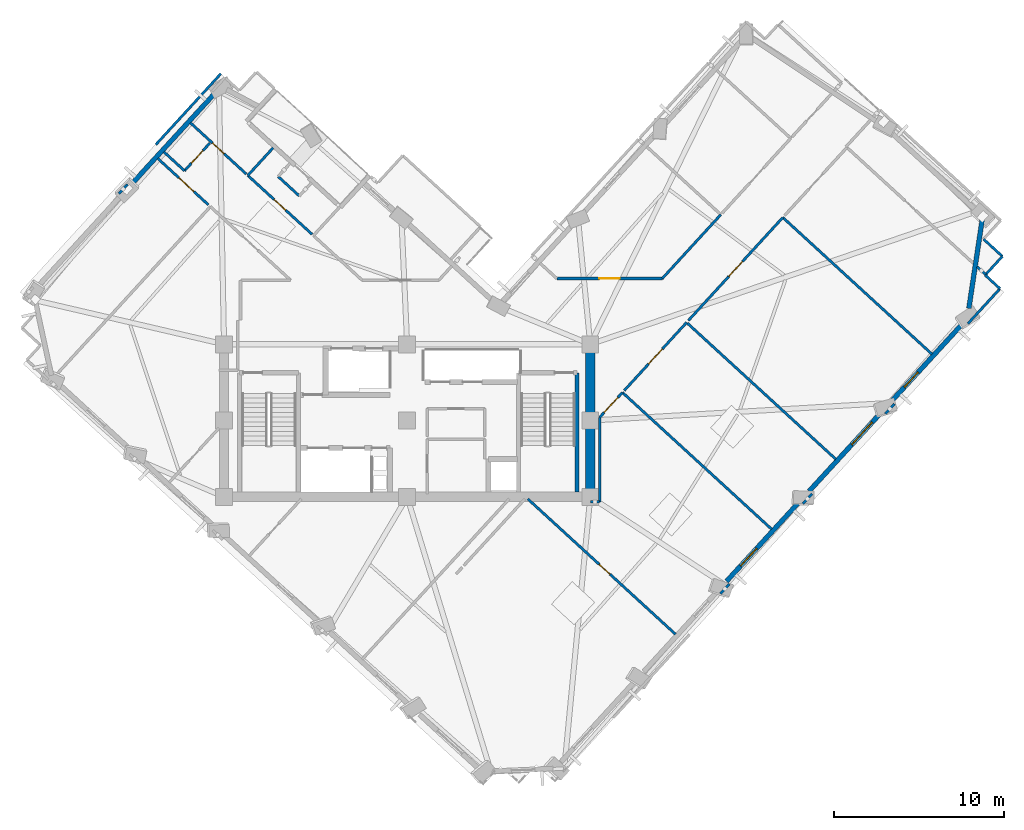
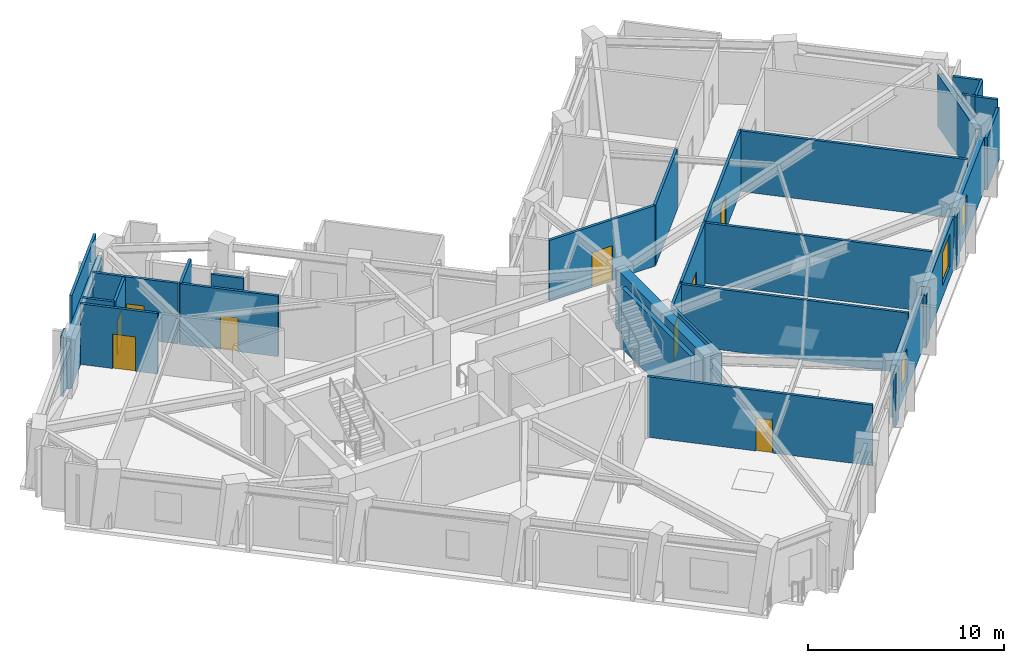
# One storey, part 6 of 12: 35 walls, 9 doors, 3 windows, 12 openings.
"""IFC4 building model written with IfcOpenShell, lengths in metres."""

from ifc_helpers import new_model, si_unit, direction, frame, frame_2d, origin, place, context, subcontext, project, spatial, rectangle, extrude, material, layer, layer_set, type_object, element, fill, save


model = new_model("IFC4")

# Units and contexts
model_context = context("Model", 3, precision=1e-05, world=origin(), true_north=direction((0.0, 1.0)))
body_context = subcontext(model_context, "Body", "Model", "MODEL_VIEW")
ifc_project = project(units=[si_unit("LENGTHUNIT", "METRE"), si_unit("AREAUNIT", "SQUARE_METRE"), si_unit("VOLUMEUNIT", "CUBIC_METRE"), si_unit("PLANEANGLEUNIT", "RADIAN"), si_unit("MASSUNIT", "GRAM", prefix="KILO")], contexts=[model_context])

# Site, building, storey
site_placement = place(None, origin())
site = spatial("IfcSite", under=ifc_project, at=site_placement, CompositionType="ELEMENT")
building_placement = place(site_placement, origin())
building = spatial("IfcBuilding", under=site, at=building_placement, Name="Gaonmaruhae Medical Tower", CompositionType="ELEMENT")
storey_placement = place(building_placement, frame((0.0, 0.0, 227.199951171875)))
storey = spatial("IfcBuildingStorey", under=building, at=storey_placement, Name="L54", CompositionType="ELEMENT", Elevation=227.199951171875)

# Wall
ifc_material_1 = material(Name="Concrete C50/60", Category="concrete")
ifc_layer_1 = layer(ifc_material_1, 0.550048828125)
ifc_layer_set_1 = layer_set([ifc_layer_1], Name="Concrete C50/60")
wall_type_1 = type_object("IfcWallType", Name="CW-550 Mid-High Core Shear Wall", PredefinedType="SHEAR", material=ifc_layer_set_1)
wall_1_placement = place(storey_placement, frame((35.60009765625, 7.800048828125, 0.0), z_axis=(0.0, 0.0, 1.0), x_axis=(0.0, 1.0, 0.0)))
element("IfcWall", 1, at=wall_1_placement, inside=storey, type_object=wall_type_1, Name="L54 Core Shear Wall CSW-E1", PredefinedType="SHEAR", context=body_context, shape_type="SweptSolid", body=[
    extrude(rectangle(XDim=9.0, YDim=0.550048828125, at=frame_2d((4.5, 0.0))), origin(), (0.0, 0.0, 1.0), 3.780029296875),
])

# Wall, opening, window
ifc_material_2 = material(Name="Precast concrete C45/55", Category="concrete")
ifc_layer_2 = layer(ifc_material_2, 0.280029296875)
ifc_layer_set_2 = layer_set([ifc_layer_2], Name="Precast concrete C45/55")
wall_type_2 = type_object("IfcWallType", Name="EW-280 Upper Precast Masonry-Frame Facade Wall", PredefinedType="SOLIDWALL", material=ifc_layer_set_2)
wall_2_placement = place(storey_placement, frame((47.96923828125, 7.547119140625, 0.0), z_axis=(0.0, 0.0, 1.0), x_axis=(-0.67557981621, -0.737286858644, 0.0)))
wall_2 = element("IfcWall", 2, at=wall_2_placement, inside=storey, type_object=wall_type_2, Name="L54 Precast Masonry-Frame Wall S03-S04", PredefinedType="SOLIDWALL", context=body_context, shape_type="SweptSolid", body=[
    extrude(rectangle(XDim=6.413330078125, YDim=0.280029296875, at=frame_2d((3.20654296875, 0.0))), origin(), (0.0, 0.0, 1.0), 3.26513671875),
])
opening_1_placement = place(wall_2_placement, frame((3.783203125, 0.0, 0.75)))
opening_1 = element("IfcOpeningElement", 3, at=opening_1_placement, cuts=wall_2, Name="Opening WN-03", PredefinedType="OPENING", context=body_context, shape_type="SweptSolid", body=[
    extrude(rectangle(XDim=1.39990234375, YDim=1.85009765625, at=frame_2d((0.699951171875, 0.925048828125))), frame((0.0, 0.14990234375, 0.0), z_axis=(0.0, -1.0, 0.0), x_axis=(1.0, 0.0, 0.0)), (0.0, 0.0, 1.0), 0.300048828125),
])
ifc_material_3 = material(Name="Anodised aluminium and Low-E double glazing", Category="aluminium")
window_type_1 = type_object("IfcWindowType", Name="WN-03 Isolation Ward Punched Window 1400x1850", PartitioningType="SINGLE_PANEL", PredefinedType="WINDOW", material=ifc_material_3)
window_1_placement = place(opening_1_placement, origin())
window_1 = element("IfcWindow", 4, at=window_1_placement, inside=storey, type_object=window_type_1, Name="L54 Modular Facade Window S03", OverallHeight=1.85009765625, OverallWidth=1.39990234375, PartitioningType="SINGLE_PANEL", PredefinedType="WINDOW", context=body_context, shape_type="SweptSolid", body=[
    extrude(rectangle(XDim=1.39990234375, YDim=1.85009765625, at=frame_2d((0.699951171875, 0.925048828125))), frame((0.0, 0.030029296875, 0.0), z_axis=(0.0, -1.0, 0.0), x_axis=(1.0, 0.0, 0.0)), (0.0, 0.0, 1.0), 0.06005859375),
])
fill(opening_1, window_1)

wall_3_placement = place(storey_placement, frame((52.833984375, 12.856201171875, 0.0), z_axis=(0.0, 0.0, 1.0), x_axis=(-0.675586571209, -0.737280668946, 0.0)))
wall_3 = element("IfcWall", 5, at=wall_3_placement, inside=storey, type_object=wall_type_2, Name="L54 Precast Masonry-Frame Wall S04-S05", PredefinedType="SOLIDWALL", context=body_context, shape_type="SweptSolid", body=[
    extrude(rectangle(XDim=6.40673828125, YDim=0.280029296875, at=frame_2d((3.203369140625, 0.0))), origin(), (0.0, 0.0, 1.0), 3.26513671875),
])
opening_2_placement = place(wall_3_placement, frame((0.8896484375, 0.0, 0.75)))
opening_2 = element("IfcOpeningElement", 6, at=opening_2_placement, cuts=wall_3, Name="Opening WN-04", PredefinedType="OPENING", context=body_context, shape_type="SweptSolid", body=[
    extrude(rectangle(XDim=1.800048828125, YDim=2.050048828125, at=frame_2d((0.89990234375, 1.02490234375))), frame((0.0, 0.14990234375, 0.0), z_axis=(0.0, -1.0, 0.0), x_axis=(1.0, 0.0, 0.0)), (0.0, 0.0, 1.0), 0.300048828125),
])
window_type_2 = type_object("IfcWindowType", Name="WN-04 Clinic & Consult Punched Window 1800x2050", PartitioningType="SINGLE_PANEL", PredefinedType="WINDOW", material=ifc_material_3)
window_2_placement = place(opening_2_placement, origin())
window_2 = element("IfcWindow", 7, at=window_2_placement, inside=storey, type_object=window_type_2, Name="L54 Modular Facade Window S04", OverallHeight=2.050048828125, OverallWidth=1.800048828125, PartitioningType="SINGLE_PANEL", PredefinedType="WINDOW", context=body_context, shape_type="SweptSolid", body=[
    extrude(rectangle(XDim=1.800048828125, YDim=2.050048828125, at=frame_2d((0.89990234375, 1.02490234375))), frame((0.0, 0.030029296875, 0.0), z_axis=(0.0, -1.0, 0.0), x_axis=(1.0, 0.0, 0.0)), (0.0, 0.0, 1.0), 0.06005859375),
])
fill(opening_2, window_2)

wall_4_placement = place(storey_placement, frame((57.705078125, 18.171875, 0.0), z_axis=(0.0, 0.0, 1.0), x_axis=(-0.675585097516, -0.737282019321, 0.0)))
wall_4 = element("IfcWall", 8, at=wall_4_placement, inside=storey, type_object=wall_type_2, Name="L54 Precast Masonry-Frame Wall S05-S06", PredefinedType="SOLIDWALL", context=body_context, shape_type="SweptSolid", body=[
    extrude(rectangle(XDim=6.41845703125, YDim=0.280029296875, at=frame_2d((3.209228515625, 0.0))), origin(), (0.0, 0.0, 1.0), 3.26513671875),
])
opening_3_placement = place(wall_4_placement, frame((4.0927734375, 0.0, 0.75)))
opening_3 = element("IfcOpeningElement", 9, at=opening_3_placement, cuts=wall_4, Name="Opening WN-05", PredefinedType="OPENING", context=body_context, shape_type="SweptSolid", body=[
    extrude(rectangle(XDim=1.199951171875, YDim=1.75, at=frame_2d((0.60009765625, 0.875))), frame((0.0, 0.14990234375, 0.0), z_axis=(0.0, -1.0, 0.0), x_axis=(1.0, 0.0, 0.0)), (0.0, 0.0, 1.0), 0.300048828125),
])
window_type_3 = type_object("IfcWindowType", Name="WN-05 Support & Staff Punched Window 1200x1750", PartitioningType="SINGLE_PANEL", PredefinedType="WINDOW", material=ifc_material_3)
window_3_placement = place(opening_3_placement, origin())
window_3 = element("IfcWindow", 10, at=window_3_placement, inside=storey, type_object=window_type_3, Name="L54 Modular Facade Window S05", OverallHeight=1.75, OverallWidth=1.199951171875, PartitioningType="SINGLE_PANEL", PredefinedType="WINDOW", context=body_context, shape_type="SweptSolid", body=[
    extrude(rectangle(XDim=1.199951171875, YDim=1.75, at=frame_2d((0.60009765625, 0.875))), frame((0.0, 0.030029296875, 0.0), z_axis=(0.0, -1.0, 0.0), x_axis=(1.0, 0.0, 0.0)), (0.0, 0.0, 1.0), 0.06005859375),
])
fill(opening_3, window_3)

# Walls
wall_5_placement = place(storey_placement, frame((58.718017578125, 24.15283203125, 0.0), z_axis=(0.0, 0.0, 1.0), x_axis=(-0.148680965194, -0.988885216084, 0.0)))
element("IfcWall", 11, at=wall_5_placement, inside=storey, type_object=wall_type_2, Name="L54 Precast Masonry-Frame Wall S06-E01", PredefinedType="SOLIDWALL", context=body_context, shape_type="SweptSolid", body=[
    extrude(rectangle(XDim=5.2939453125, YDim=0.280029296875, at=frame_2d((2.64697265625, 0.0))), origin(), (0.0, 0.0, 1.0), 3.26513671875),
])
wall_6_placement = place(storey_placement, frame((8.42578125, 26.11669921875, 0.0), z_axis=(0.0, 0.0, 1.0), x_axis=(0.675580368307, 0.737286352754, 0.0)))
element("IfcWall", 12, at=wall_6_placement, inside=storey, type_object=wall_type_2, Name="L54 Precast Masonry-Frame Wall N01-N02", PredefinedType="SOLIDWALL", context=body_context, shape_type="SweptSolid", body=[
    extrude(rectangle(XDim=7.434326171875, YDim=0.280029296875, at=frame_2d((3.71728515625, 0.0))), origin(), (0.0, 0.0, 1.0), 3.26513671875),
])

# Wall, opening, door
ifc_material_4 = material(Name="Gypsum board partition", Category="gypsum")
ifc_layer_3 = layer(ifc_material_4, 0.14990234375)
ifc_layer_set_3 = layer_set([ifc_layer_3], Name="Gypsum board partition")
wall_type_3 = type_object("IfcWallType", Name="PW-150 Rated Clinical Corridor Partition", PredefinedType="PARTITIONING", material=ifc_layer_set_3)
wall_7_placement = place(storey_placement, frame((31.9208984375, 7.675048828125, 0.0), z_axis=(0.0, 0.0, 1.0), x_axis=(0.737312092313, -0.675552276681, 0.0)))
wall_7 = element("IfcWall", 13, at=wall_7_placement, inside=storey, type_object=wall_type_3, Name="L54 Interior Partition L54-SUP02-10", PredefinedType="PARTITIONING", context=body_context, shape_type="SweptSolid", body=[
    extrude(rectangle(XDim=11.803955078125, YDim=0.14990234375, at=frame_2d((5.90185546875, 0.0))), origin(), (0.0, 0.0, 1.0), 3.780029296875),
])
opening_4_placement = place(wall_7_placement, frame((5.706298828125, 0.0, 0.0)))
opening_4 = element("IfcOpeningElement", 14, at=opening_4_placement, cuts=wall_7, Name="Opening AD-01", PredefinedType="OPENING", context=body_context, shape_type="SweptSolid", body=[
    extrude(rectangle(XDim=0.860107421875, YDim=2.06005859375, at=frame_2d((0.43017578125, 1.030029296875))), frame((0.0, 0.0849609375, 0.0), z_axis=(0.0, -1.0, 0.0), x_axis=(1.0, 0.0, 0.0)), (0.0, 0.0, 1.0), 0.169921875),
])
ifc_material_5 = material(Name="Powder-coated steel access door", Category="steel")
door_type_1 = type_object("IfcDoorType", Name="AD-01 Riser & Closet Access Fire Door 860x2060", OperationType="NOTDEFINED", PredefinedType="DOOR", material=ifc_material_5)
door_1_placement = place(opening_4_placement, origin())
door_1 = element("IfcDoor", 15, at=door_1_placement, inside=storey, type_object=door_type_1, Name="L54 Clinical Biomedical Charting Office Sliding Door", OperationType="SLIDING_TO_LEFT", OverallHeight=2.06005859375, OverallWidth=0.860107421875, PredefinedType="DOOR", context=body_context, shape_type="SweptSolid", body=[
    extrude(rectangle(XDim=0.860107421875, YDim=2.06005859375, at=frame_2d((0.43017578125, 1.030029296875))), frame((0.0, 0.02490234375, 0.0), z_axis=(0.0, -1.0, 0.0), x_axis=(1.0, 0.0, 0.0)), (0.0, 0.0, 1.0), 0.050048828125),
])
fill(opening_4, door_1)

wall_8_placement = place(storey_placement, frame((36.14990234375, 12.485107421875, 0.0), z_axis=(0.0, 0.0, 1.0), x_axis=(0.675685869047, 0.73718966784, 0.0)))
wall_8 = element("IfcWall", 16, at=wall_8_placement, inside=storey, type_object=wall_type_3, Name="L54 Interior Partition L54-SUP03-11", PredefinedType="PARTITIONING", context=body_context, shape_type="SweptSolid", body=[
    extrude(rectangle(XDim=1.99658203125, YDim=0.14990234375, at=frame_2d((0.998291015625, 0.0))), origin(), (0.0, 0.0, 1.0), 3.780029296875),
])
opening_5_placement = place(wall_8_placement, frame((0.398193359375, 0.0, 0.0)))
opening_5 = element("IfcOpeningElement", 17, at=opening_5_placement, cuts=wall_8, Name="Opening CD-02", PredefinedType="OPENING", context=body_context, shape_type="SweptSolid", body=[
    extrude(rectangle(XDim=1.199951171875, YDim=2.14990234375, at=frame_2d((0.60009765625, 1.074951171875))), frame((0.0, 0.0849609375, 0.0), z_axis=(0.0, -1.0, 0.0), x_axis=(1.0, 0.0, 0.0)), (0.0, 0.0, 1.0), 0.169921875),
])
ifc_material_6 = material(Name="Antimicrobial laminate timber fire door", Category="wood")
door_type_2 = type_object("IfcDoorType", Name="CD-02 Clinical Treatment & Procedure Door 1200x2150", OperationType="NOTDEFINED", PredefinedType="DOOR", material=ifc_material_6)
door_2_placement = place(opening_5_placement, origin())
door_2 = element("IfcDoor", 18, at=door_2_placement, inside=storey, type_object=door_type_2, Name="L54 Clinical Biomedical Charting Office Door", OperationType="SINGLE_SWING_RIGHT", OverallHeight=2.14990234375, OverallWidth=1.199951171875, PredefinedType="DOOR", context=body_context, shape_type="SweptSolid", body=[
    extrude(rectangle(XDim=1.199951171875, YDim=2.14990234375, at=frame_2d((0.60009765625, 1.074951171875))), frame((0.0, 0.02490234375, 0.0), z_axis=(0.0, -1.0, 0.0), x_axis=(1.0, 0.0, 0.0)), (0.0, 0.0, 1.0), 0.050048828125),
])
fill(opening_5, door_2)

# Walls
wall_9_placement = place(storey_placement, frame((37.4990234375, 13.95703125, 0.0), z_axis=(0.0, 0.0, 1.0), x_axis=(0.737309503426, -0.675555102237, 0.0)))
element("IfcWall", 19, at=wall_9_placement, inside=storey, type_object=wall_type_3, Name="L54 Interior Partition L54-SUP03-12", PredefinedType="PARTITIONING", context=body_context, shape_type="SweptSolid", body=[
    extrude(rectangle(XDim=11.935302734375, YDim=0.14990234375, at=frame_2d((5.9677734375, 0.0))), origin(), (0.0, 0.0, 1.0), 3.780029296875),
])
wall_10_placement = place(storey_placement, frame((43.805908203125, 2.6630859375, 0.0), z_axis=(0.0, 0.0, 1.0), x_axis=(-0.676165168322, -0.736750069662, 0.0)))
element("IfcWall", 20, at=wall_10_placement, inside=storey, type_object=wall_type_3, Name="L54 Interior Partition L54-SUP03-13", PredefinedType="PARTITIONING", context=body_context, shape_type="SweptSolid", body=[
    extrude(rectangle(XDim=0.77783203125, YDim=0.14990234375, at=frame_2d((0.388916015625, 0.0))), origin(), (0.0, 0.0, 1.0), 3.26513671875),
])
wall_11_placement = place(storey_placement, frame((35.60009765625, 7.5, 0.0), z_axis=(0.0, 0.0, 1.0), x_axis=(1.0, 0.0, 0.0)))
element("IfcWall", 21, at=wall_11_placement, inside=storey, type_object=wall_type_3, Name="L54 Interior Partition L54-SUP03-14", PredefinedType="PARTITIONING", context=body_context, shape_type="SweptSolid", body=[
    extrude(rectangle(XDim=0.5498046875, YDim=0.14990234375, at=frame_2d((0.27490234375, 0.0))), origin(), (0.0, 0.0, 1.0), 3.780029296875),
])
wall_12_placement = place(storey_placement, frame((36.14990234375, 7.5, 0.0), z_axis=(0.0, 0.0, 1.0), x_axis=(0.0, 1.0, 0.0)))
element("IfcWall", 22, at=wall_12_placement, inside=storey, type_object=wall_type_3, Name="L54 Interior Partition L54-SUP03-15", PredefinedType="PARTITIONING", context=body_context, shape_type="SweptSolid", body=[
    extrude(rectangle(XDim=4.985107421875, YDim=0.14990234375, at=frame_2d((2.49267578125, 0.0))), origin(), (0.0, 0.0, 1.0), 3.780029296875),
])

# Wall, opening, door
wall_13_placement = place(storey_placement, frame((37.60693359375, 14.074951171875, 0.0), z_axis=(0.0, 0.0, 1.0), x_axis=(0.67555593544, 0.737308740008, 0.0)))
wall_13 = element("IfcWall", 23, at=wall_13_placement, inside=storey, type_object=wall_type_3, Name="L54 Interior Partition L54-SUP04-16", PredefinedType="PARTITIONING", context=body_context, shape_type="SweptSolid", body=[
    extrude(rectangle(XDim=5.43994140625, YDim=0.14990234375, at=frame_2d((2.719970703125, 0.0))), origin(), (0.0, 0.0, 1.0), 3.780029296875),
])
opening_6_placement = place(wall_13_placement, frame((2.1201171875, 0.0, 0.0)))
opening_6 = element("IfcOpeningElement", 24, at=opening_6_placement, cuts=wall_13, Name="Opening CD-02", PredefinedType="OPENING", context=body_context, shape_type="SweptSolid", body=[
    extrude(rectangle(XDim=1.199951171875, YDim=2.14990234375, at=frame_2d((0.60009765625, 1.074951171875))), frame((0.0, 0.0849609375, 0.0), z_axis=(0.0, -1.0, 0.0), x_axis=(1.0, 0.0, 0.0)), (0.0, 0.0, 1.0), 0.169921875),
])
door_3_placement = place(opening_6_placement, origin())
door_3 = element("IfcDoor", 25, at=door_3_placement, inside=storey, type_object=door_type_2, Name="L54 Clinical Biomedical Charting Office Door", OperationType="SINGLE_SWING_LEFT", OverallHeight=2.14990234375, OverallWidth=1.199951171875, PredefinedType="DOOR", context=body_context, shape_type="SweptSolid", body=[
    extrude(rectangle(XDim=1.199951171875, YDim=2.14990234375, at=frame_2d((0.60009765625, 1.074951171875))), frame((0.0, 0.02490234375, 0.0), z_axis=(0.0, -1.0, 0.0), x_axis=(1.0, 0.0, 0.0)), (0.0, 0.0, 1.0), 0.050048828125),
])
fill(opening_6, door_3)

# Walls
wall_14_placement = place(storey_placement, frame((41.319091796875, 18.052001953125, 0.0), z_axis=(0.0, 0.0, 1.0), x_axis=(0.73730675083, -0.675558106443, 0.0)))
element("IfcWall", 26, at=wall_14_placement, inside=storey, type_object=wall_type_3, Name="L54 Interior Partition L54-SUP04-17", PredefinedType="PARTITIONING", context=body_context, shape_type="SweptSolid", body=[
    extrude(rectangle(XDim=11.885009765625, YDim=0.14990234375, at=frame_2d((5.9423828125, 0.0))), origin(), (0.0, 0.0, 1.0), 3.780029296875),
])
wall_15_placement = place(storey_placement, frame((48.675048828125, 7.97705078125, 0.0), z_axis=(0.0, 0.0, 1.0), x_axis=(-0.675668895571, -0.737205224858, 0.0)))
element("IfcWall", 27, at=wall_15_placement, inside=storey, type_object=wall_type_3, Name="L54 Interior Partition L54-SUP04-18", PredefinedType="PARTITIONING", context=body_context, shape_type="SweptSolid", body=[
    extrude(rectangle(XDim=0.79345703125, YDim=0.14990234375, at=frame_2d((0.396728515625, 0.0))), origin(), (0.0, 0.0, 1.0), 3.26513671875),
])

# Wall, opening, door
wall_16_placement = place(storey_placement, frame((41.389892578125, 18.2041015625, 0.0), z_axis=(0.0, 0.0, 1.0), x_axis=(0.67562131305, 0.737248832724, 0.0)))
wall_16 = element("IfcWall", 28, at=wall_16_placement, inside=storey, type_object=wall_type_3, Name="L54 Interior Partition L54-SUP05-19", PredefinedType="PARTITIONING", context=body_context, shape_type="SweptSolid", body=[
    extrude(rectangle(XDim=8.239990234375, YDim=0.14990234375, at=frame_2d((4.1201171875, 0.0))), origin(), (0.0, 0.0, 1.0), 3.780029296875),
])
opening_7_placement = place(wall_16_placement, frame((3.52001953125, 0.0, 0.0)))
opening_7 = element("IfcOpeningElement", 29, at=opening_7_placement, cuts=wall_16, Name="Opening CD-02", PredefinedType="OPENING", context=body_context, shape_type="SweptSolid", body=[
    extrude(rectangle(XDim=1.199951171875, YDim=2.14990234375, at=frame_2d((0.60009765625, 1.074951171875))), frame((0.0, 0.0849609375, 0.0), z_axis=(0.0, -1.0, 0.0), x_axis=(1.0, 0.0, 0.0)), (0.0, 0.0, 1.0), 0.169921875),
])
door_4_placement = place(opening_7_placement, origin())
door_4 = element("IfcDoor", 30, at=door_4_placement, inside=storey, type_object=door_type_2, Name="L54 Clinical Biomedical Charting Office Door", OperationType="SINGLE_SWING_RIGHT", OverallHeight=2.14990234375, OverallWidth=1.199951171875, PredefinedType="DOOR", context=body_context, shape_type="SweptSolid", body=[
    extrude(rectangle(XDim=1.199951171875, YDim=2.14990234375, at=frame_2d((0.60009765625, 1.074951171875))), frame((0.0, 0.02490234375, 0.0), z_axis=(0.0, -1.0, 0.0), x_axis=(1.0, 0.0, 0.0)), (0.0, 0.0, 1.0), 0.050048828125),
])
fill(opening_7, door_4)

# Walls
wall_17_placement = place(storey_placement, frame((46.95703125, 24.279052734375, 0.0), z_axis=(0.0, 0.0, 1.0), x_axis=(0.737309503426, -0.675555102237, 0.0)))
element("IfcWall", 31, at=wall_17_placement, inside=storey, type_object=wall_type_3, Name="L54 Interior Partition L54-SUP05-20", PredefinedType="PARTITIONING", context=body_context, shape_type="SweptSolid", body=[
    extrude(rectangle(XDim=11.935302734375, YDim=0.14990234375, at=frame_2d((5.9677734375, 0.0))), origin(), (0.0, 0.0, 1.0), 3.780029296875),
])
wall_18_placement = place(storey_placement, frame((53.5380859375, 13.284912109375, 0.0), z_axis=(0.0, 0.0, 1.0), x_axis=(-0.675612964581, -0.737256483247, 0.0)))
element("IfcWall", 32, at=wall_18_placement, inside=storey, type_object=wall_type_3, Name="L54 Interior Partition L54-SUP05-21", PredefinedType="PARTITIONING", context=body_context, shape_type="SweptSolid", body=[
    extrude(rectangle(XDim=0.7919921875, YDim=0.14990234375, at=frame_2d((0.39599609375, 0.0))), origin(), (0.0, 0.0, 1.0), 3.26513671875),
])
wall_19_placement = place(storey_placement, frame((59.76708984375, 20.08203125, 0.0), z_axis=(0.0, 0.0, 1.0), x_axis=(-0.675764091875, -0.737117963512, 0.0)))
element("IfcWall", 33, at=wall_19_placement, inside=storey, type_object=wall_type_3, Name="L54 Interior Partition L54-SUP06-22", PredefinedType="PARTITIONING", context=body_context, shape_type="SweptSolid", body=[
    extrude(rectangle(XDim=2.80126953125, YDim=0.14990234375, at=frame_2d((1.400634765625, 0.0))), origin(), (0.0, 0.0, 1.0), 3.26513671875),
])
wall_20_placement = place(storey_placement, frame((58.4169921875, 21.3740234375, 0.0), z_axis=(0.0, 0.0, 1.0), x_axis=(0.736962641312, -0.675933476986, 0.0)))
element("IfcWall", 34, at=wall_20_placement, inside=storey, type_object=wall_type_3, Name="L54 Interior Partition L54-SUP06-25", PredefinedType="PARTITIONING", context=body_context, shape_type="SweptSolid", body=[
    extrude(rectangle(XDim=0.68798828125, YDim=0.14990234375, at=frame_2d((0.343994140625, 0.0))), origin(), (0.0, 0.0, 1.0), 3.780029296875),
])
wall_21_placement = place(storey_placement, frame((58.89697265625, 20.87890625, 0.0), z_axis=(0.0, 0.0, 1.0), x_axis=(0.737463271942, -0.67538723895, 0.0)))
element("IfcWall", 35, at=wall_21_placement, inside=storey, type_object=wall_type_3, Name="L54 Interior Partition L54-SUP06-26", PredefinedType="PARTITIONING", context=body_context, shape_type="SweptSolid", body=[
    extrude(rectangle(XDim=1.179931640625, YDim=0.14990234375, at=frame_2d((0.58984375, 0.0))), origin(), (0.0, 0.0, 1.0), 3.780029296875),
])
wall_22_placement = place(storey_placement, frame((7.7958984375, 25.680908203125, 0.0), z_axis=(0.0, 0.0, 1.0), x_axis=(0.675739417903, 0.737140582991, 0.0)))
element("IfcWall", 36, at=wall_22_placement, inside=storey, type_object=wall_type_3, Name="L54 Interior Partition L54-WOF10-43", PredefinedType="PARTITIONING", context=body_context, shape_type="SweptSolid", body=[
    extrude(rectangle(XDim=0.74755859375, YDim=0.14990234375, at=frame_2d((0.373779296875, 0.0))), origin(), (0.0, 0.0, 1.0), 3.780029296875),
])

# Wall, opening, door
wall_23_placement = place(storey_placement, frame((10.089111328125, 27.761962890625, 0.0), z_axis=(0.0, 0.0, 1.0), x_axis=(0.737269237185, -0.675599046699, 0.0)))
wall_23 = element("IfcWall", 37, at=wall_23_placement, inside=storey, type_object=wall_type_3, Name="L54 Interior Partition L54-WOF10-44", PredefinedType="PARTITIONING", context=body_context, shape_type="SweptSolid", body=[
    extrude(rectangle(XDim=4.0498046875, YDim=0.14990234375, at=frame_2d((2.02490234375, 0.0))), origin(), (0.0, 0.0, 1.0), 3.780029296875),
])
opening_8_placement = place(wall_23_placement, frame((1.69970703125, 0.0, 0.0)))
opening_8 = element("IfcOpeningElement", 38, at=opening_8_placement, cuts=wall_23, Name="Opening CD-02", PredefinedType="OPENING", context=body_context, shape_type="SweptSolid", body=[
    extrude(rectangle(XDim=1.199951171875, YDim=2.14990234375, at=frame_2d((0.60009765625, 1.074951171875))), frame((0.0, 0.0849609375, 0.0), z_axis=(0.0, -1.0, 0.0), x_axis=(1.0, 0.0, 0.0)), (0.0, 0.0, 1.0), 0.169921875),
])
door_5_placement = place(opening_8_placement, origin())
door_5 = element("IfcDoor", 39, at=door_5_placement, inside=storey, type_object=door_type_2, Name="L54 Ward Physician Reporting Office Door", OperationType="SINGLE_SWING_LEFT", OverallHeight=2.14990234375, OverallWidth=1.199951171875, PredefinedType="DOOR", context=body_context, shape_type="SweptSolid", body=[
    extrude(rectangle(XDim=1.199951171875, YDim=2.14990234375, at=frame_2d((0.60009765625, 1.074951171875))), frame((0.0, 0.02490234375, 0.0), z_axis=(0.0, -1.0, 0.0), x_axis=(1.0, 0.0, 0.0)), (0.0, 0.0, 1.0), 0.050048828125),
])
fill(opening_8, door_5)

# Wall
wall_24_placement = place(storey_placement, frame((43.301025390625, 24.448974609375, 0.0), z_axis=(0.0, 0.0, 1.0), x_axis=(-0.675529956825, -0.737332541959, 0.0)))
element("IfcWall", 40, at=wall_24_placement, inside=storey, type_object=wall_type_3, Name="L54 Interior Partition L54-IE02-51", PredefinedType="PARTITIONING", context=body_context, shape_type="SweptSolid", body=[
    extrude(rectangle(XDim=5.11181640625, YDim=0.14990234375, at=frame_2d((2.555908203125, 0.0))), origin(), (0.0, 0.0, 1.0), 3.780029296875),
])

# Wall, opening, door
wall_25_placement = place(storey_placement, frame((39.847900390625, 20.679931640625, 0.0), z_axis=(0.0, 0.0, 1.0), x_axis=(-1.0, 0.0, 0.0)))
wall_25 = element("IfcWall", 41, at=wall_25_placement, inside=storey, type_object=wall_type_3, Name="L54 Interior Partition L54-IE02-52", PredefinedType="PARTITIONING", context=body_context, shape_type="SweptSolid", body=[
    extrude(rectangle(XDim=6.221923828125, YDim=0.14990234375, at=frame_2d((3.11083984375, 0.0))), origin(), (0.0, 0.0, 1.0), 3.780029296875),
])
opening_9_placement = place(wall_25_placement, frame((2.510986328125, 0.0, 0.0)))
opening_9 = element("IfcOpeningElement", 42, at=opening_9_placement, cuts=wall_25, Name="Opening CD-02", PredefinedType="OPENING", context=body_context, shape_type="SweptSolid", body=[
    extrude(rectangle(XDim=1.199951171875, YDim=2.14990234375, at=frame_2d((0.60009765625, 1.074951171875))), frame((0.0, 0.0849609375, 0.0), z_axis=(0.0, -1.0, 0.0), x_axis=(1.0, 0.0, 0.0)), (0.0, 0.0, 1.0), 0.169921875),
])
door_6_placement = place(opening_9_placement, origin())
door_6 = element("IfcDoor", 43, at=door_6_placement, inside=storey, type_object=door_type_2, Name="L54 Acute Treatment Examination Room Door", OperationType="SINGLE_SWING_RIGHT", OverallHeight=2.14990234375, OverallWidth=1.199951171875, PredefinedType="DOOR", context=body_context, shape_type="SweptSolid", body=[
    extrude(rectangle(XDim=1.199951171875, YDim=2.14990234375, at=frame_2d((0.60009765625, 1.074951171875))), frame((0.0, 0.02490234375, 0.0), z_axis=(0.0, -1.0, 0.0), x_axis=(1.0, 0.0, 0.0)), (0.0, 0.0, 1.0), 0.050048828125),
])
fill(opening_9, door_6)

# Walls
wall_26_placement = place(storey_placement, frame((15.402099609375, 26.759033203125, 0.0), z_axis=(0.0, 0.0, 1.0), x_axis=(0.675689693672, 0.737186162286, 0.0)))
element("IfcWall", 44, at=wall_26_placement, inside=storey, type_object=wall_type_3, Name="L54 Interior Partition L54-IN02-72", PredefinedType="PARTITIONING", context=body_context, shape_type="SweptSolid", body=[
    extrude(rectangle(XDim=2.21533203125, YDim=0.14990234375, at=frame_2d((1.107666015625, 0.0))), origin(), (0.0, 0.0, 1.0), 3.780029296875),
])
wall_27_placement = place(storey_placement, frame((17.18701171875, 26.697021484375, 0.0), z_axis=(0.0, 0.0, 1.0), x_axis=(0.737321101692, -0.675542443522, 0.0)))
element("IfcWall", 45, at=wall_27_placement, inside=storey, type_object=wall_type_3, Name="L54 Interior Partition L54-IN02-74", PredefinedType="PARTITIONING", context=body_context, shape_type="SweptSolid", body=[
    extrude(rectangle(XDim=1.69921875, YDim=0.14990234375, at=frame_2d((0.849609375, 0.0))), origin(), (0.0, 0.0, 1.0), 3.780029296875),
])

# Wall, opening, door
wall_28_placement = place(storey_placement, frame((19.18505859375, 23.29296875, 0.0), z_axis=(0.0, 0.0, 1.0), x_axis=(-0.737314109522, 0.675550075049, 0.0)))
wall_28 = element("IfcWall", 46, at=wall_28_placement, inside=storey, type_object=wall_type_3, Name="L54 Interior Partition L54-IN02-76", PredefinedType="PARTITIONING", context=body_context, shape_type="SweptSolid", body=[
    extrude(rectangle(XDim=5.130615234375, YDim=0.14990234375, at=frame_2d((2.5654296875, 0.0))), origin(), (0.0, 0.0, 1.0), 3.780029296875),
])
opening_10_placement = place(wall_28_placement, frame((2.10546875, 0.0, 0.0)))
opening_10 = element("IfcOpeningElement", 47, at=opening_10_placement, cuts=wall_28, Name="Opening UD-01", PredefinedType="OPENING", context=body_context, shape_type="SweptSolid", body=[
    extrude(rectangle(XDim=0.919921875, YDim=2.10009765625, at=frame_2d((0.4599609375, 1.050048828125))), frame((0.0, 0.0849609375, 0.0), z_axis=(0.0, -1.0, 0.0), x_axis=(1.0, 0.0, 0.0)), (0.0, 0.0, 1.0), 0.169921875),
])
ifc_material_7 = material(Name="Powder-coated steel utility door", Category="steel")
door_type_3 = type_object("IfcDoorType", Name="UD-01 Toilet, Utility & Housekeeping Door 920x2100", OperationType="NOTDEFINED", PredefinedType="DOOR", material=ifc_material_7)
door_7_placement = place(opening_10_placement, origin())
door_7 = element("IfcDoor", 48, at=door_7_placement, inside=storey, type_object=door_type_3, Name="L54 Ward Nutrition Pantry Door", OperationType="SINGLE_SWING_LEFT", OverallHeight=2.10009765625, OverallWidth=0.919921875, PredefinedType="DOOR", context=body_context, shape_type="SweptSolid", body=[
    extrude(rectangle(XDim=0.919921875, YDim=2.10009765625, at=frame_2d((0.4599609375, 1.050048828125))), frame((0.0, 0.02490234375, 0.0), z_axis=(0.0, -1.0, 0.0), x_axis=(1.0, 0.0, 0.0)), (0.0, 0.0, 1.0), 0.050048828125),
])
fill(opening_10, door_7)

wall_29_placement = place(storey_placement, frame((15.31396484375, 26.840087890625, 0.0), z_axis=(0.0, 0.0, 1.0), x_axis=(-0.737287749663, 0.675578843805, 0.0)))
wall_29 = element("IfcWall", 49, at=wall_29_placement, inside=storey, type_object=wall_type_3, Name="L54 Interior Partition L54-IN03-78", PredefinedType="PARTITIONING", context=body_context, shape_type="SweptSolid", body=[
    extrude(rectangle(XDim=4.474609375, YDim=0.14990234375, at=frame_2d((2.2373046875, 0.0))), origin(), (0.0, 0.0, 1.0), 3.780029296875),
])
opening_11_placement = place(wall_29_placement, frame((1.77734375, 0.0, 0.0)))
opening_11 = element("IfcOpeningElement", 50, at=opening_11_placement, cuts=wall_29, Name="Opening UD-01", PredefinedType="OPENING", context=body_context, shape_type="SweptSolid", body=[
    extrude(rectangle(XDim=0.919921875, YDim=2.10009765625, at=frame_2d((0.4599609375, 1.050048828125))), frame((0.0, 0.0849609375, 0.0), z_axis=(0.0, -1.0, 0.0), x_axis=(1.0, 0.0, 0.0)), (0.0, 0.0, 1.0), 0.169921875),
])
door_8_placement = place(opening_11_placement, origin())
door_8 = element("IfcDoor", 51, at=door_8_placement, inside=storey, type_object=door_type_3, Name="L54 Public Visitor Toilet Door", OperationType="SINGLE_SWING_LEFT", OverallHeight=2.10009765625, OverallWidth=0.919921875, PredefinedType="DOOR", context=body_context, shape_type="SweptSolid", body=[
    extrude(rectangle(XDim=0.919921875, YDim=2.10009765625, at=frame_2d((0.4599609375, 1.050048828125))), frame((0.0, 0.02490234375, 0.0), z_axis=(0.0, -1.0, 0.0), x_axis=(1.0, 0.0, 0.0)), (0.0, 0.0, 1.0), 0.050048828125),
])
fill(opening_11, door_8)

wall_30_placement = place(storey_placement, frame((13.1669921875, 28.6708984375, 0.0), z_axis=(0.0, 0.0, 1.0), x_axis=(-0.675590176428, -0.737277365389, 0.0)))
wall_30 = element("IfcWall", 52, at=wall_30_placement, inside=storey, type_object=wall_type_3, Name="L54 Interior Partition L54-RM02-84", PredefinedType="PARTITIONING", context=body_context, shape_type="SweptSolid", body=[
    extrude(rectangle(XDim=2.22021484375, YDim=0.14990234375, at=frame_2d((1.110107421875, 0.0))), origin(), (0.0, 0.0, 1.0), 3.780029296875),
])
opening_12_placement = place(wall_30_placement, frame((0.610107421875, 0.0, 0.0)))
opening_12 = element("IfcOpeningElement", 53, at=opening_12_placement, cuts=wall_30, Name="Opening CD-01", PredefinedType="OPENING", context=body_context, shape_type="SweptSolid", body=[
    extrude(rectangle(XDim=1.0, YDim=2.1201171875, at=frame_2d((0.5, 1.06005859375))), frame((0.0, 0.0849609375, 0.0), z_axis=(0.0, -1.0, 0.0), x_axis=(1.0, 0.0, 0.0)), (0.0, 0.0, 1.0), 0.169921875),
])
door_type_4 = type_object("IfcDoorType", Name="CD-01 Consultation & Physician Office Door 1000x2120", OperationType="NOTDEFINED", PredefinedType="DOOR", material=ifc_material_6)
door_9_placement = place(opening_12_placement, origin())
door_9 = element("IfcDoor", 54, at=door_9_placement, inside=storey, type_object=door_type_4, Name="L54 Care Team Clinical Charting Office Door", OperationType="SINGLE_SWING_LEFT", OverallHeight=2.1201171875, OverallWidth=1.0, PredefinedType="DOOR", context=body_context, shape_type="SweptSolid", body=[
    extrude(rectangle(XDim=1.0, YDim=2.1201171875, at=frame_2d((0.5, 1.06005859375))), frame((0.0, 0.02490234375, 0.0), z_axis=(0.0, -1.0, 0.0), x_axis=(1.0, 0.0, 0.0)), (0.0, 0.0, 1.0), 0.050048828125),
])
fill(opening_12, door_9)

# Walls
wall_31_placement = place(storey_placement, frame((11.6669921875, 27.033935546875, 0.0), z_axis=(0.0, 0.0, 1.0), x_axis=(-0.736903113635, 0.675998373604, 0.0)))
element("IfcWall", 55, at=wall_31_placement, inside=storey, type_object=wall_type_3, Name="L54 Interior Partition L54-RM02-85", PredefinedType="PARTITIONING", context=body_context, shape_type="SweptSolid", body=[
    extrude(rectangle(XDim=1.655517578125, YDim=0.14990234375, at=frame_2d((0.82763671875, 0.0))), origin(), (0.0, 0.0, 1.0), 3.780029296875),
])
wall_32_placement = place(storey_placement, frame((9.97900390625, 28.58203125, 0.0), z_axis=(0.0, 0.0, 1.0), x_axis=(0.675671981841, 0.737202396195, 0.0)))
element("IfcWall", 56, at=wall_32_placement, inside=storey, type_object=wall_type_3, Name="L54 Interior Partition L54-RM02-86", PredefinedType="PARTITIONING", context=body_context, shape_type="SweptSolid", body=[
    extrude(rectangle(XDim=5.669921875, YDim=0.14990234375, at=frame_2d((2.8349609375, 0.0))), origin(), (0.0, 0.0, 1.0), 3.780029296875),
])
wall_33_placement = place(storey_placement, frame((58.804931640625, 22.9990234375, 0.0), z_axis=(0.0, 0.0, 1.0), x_axis=(0.737113612824, -0.67576883754, 0.0)))
element("IfcWall", 57, at=wall_33_placement, inside=storey, type_object=wall_type_3, Name="L54 Interior Partition L54-RM04-92", PredefinedType="PARTITIONING", context=body_context, shape_type="SweptSolid", body=[
    extrude(rectangle(XDim=1.50048828125, YDim=0.14990234375, at=frame_2d((0.750244140625, 0.0))), origin(), (0.0, 0.0, 1.0), 3.780029296875),
])
wall_34_placement = place(storey_placement, frame((59.910888671875, 21.985107421875, 0.0), z_axis=(0.0, 0.0, 1.0), x_axis=(-0.675832137534, -0.73705557584, 0.0)))
element("IfcWall", 58, at=wall_34_placement, inside=storey, type_object=wall_type_3, Name="L54 Interior Partition L54-RM04-93", PredefinedType="PARTITIONING", context=body_context, shape_type="SweptSolid", body=[
    extrude(rectangle(XDim=1.439453125, YDim=0.14990234375, at=frame_2d((0.7197265625, 0.0))), origin(), (0.0, 0.0, 1.0), 3.780029296875),
])
ifc_layer_4 = layer(ifc_material_1, 0.239990234375)
ifc_layer_set_4 = layer_set([ifc_layer_4], Name="Concrete C50/60")
wall_type_4 = type_object("IfcWallType", Name="SW-240 Dogleg Stair Tight Shaft Wall", PredefinedType="SOLIDWALL", material=ifc_layer_set_4)
wall_35_placement = place(storey_placement, frame((34.830078125, 15.1201171875, 0.0), z_axis=(0.0, 0.0, 1.0), x_axis=(0.0, -1.0, 0.0)))
element("IfcWall", 59, at=wall_35_placement, inside=storey, type_object=wall_type_4, Name="L54 ST-02 Stair Shaft Wall SHW-ST-02-E", PredefinedType="SOLIDWALL", context=body_context, shape_type="SweptSolid", body=[
    extrude(rectangle(XDim=7.045166015625, YDim=0.239990234375, at=frame_2d((3.5224609375, 0.0))), origin(), (0.0, 0.0, 1.0), 3.780029296875),
])

save(model, "model.ifc")
